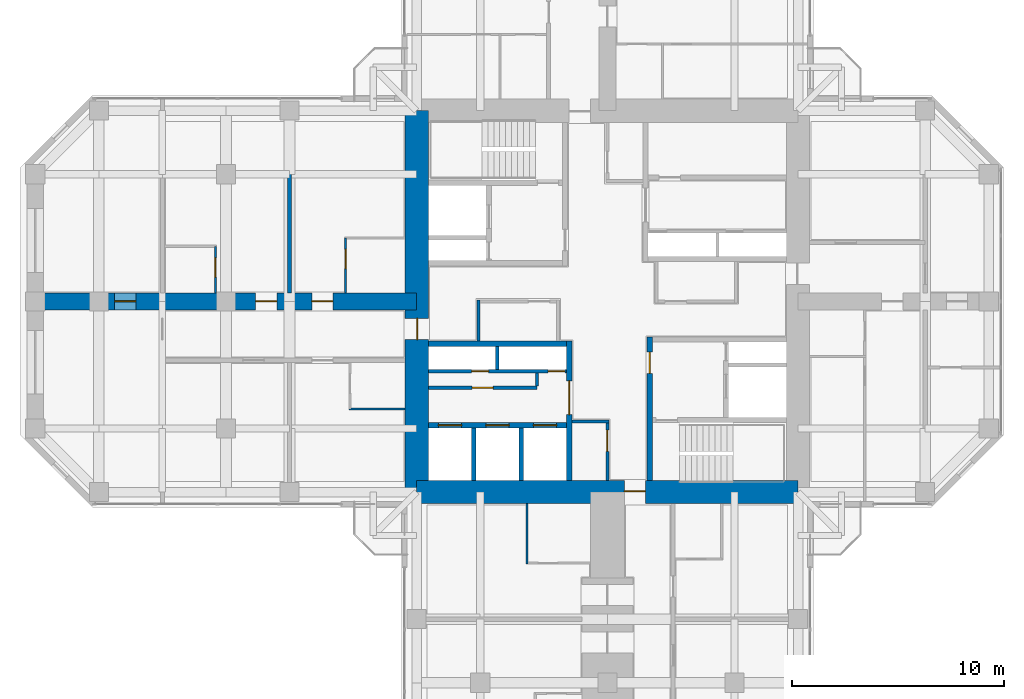
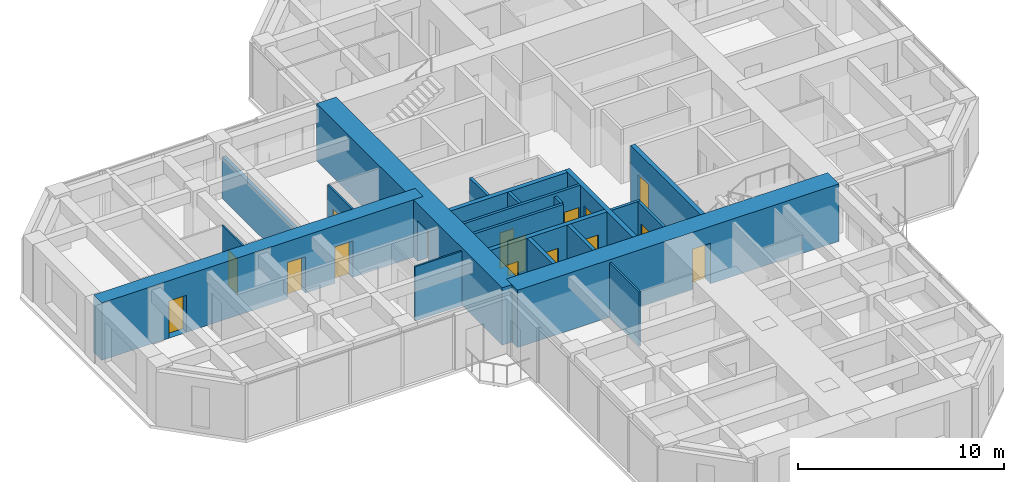
# One storey, part 9 of 14: 21 walls, 16 doors, 16 openings.
"""IFC4 building model written with IfcOpenShell, lengths in metres."""

from ifc_helpers import new_model, si_unit, direction, frame, frame_2d, origin, place, context, subcontext, project, spatial, rectangle, extrude, material, layer, layer_set, constituent, constituent_set, type_object, element, fill, save


model = new_model("IFC4")

# Units and contexts
model_context = context("Model", 3, precision=1e-05, world=origin(), true_north=direction((0.0, 1.0)))
body_context = subcontext(model_context, "Body", "Model", "MODEL_VIEW")
ifc_project = project(units=[si_unit("LENGTHUNIT", "METRE"), si_unit("AREAUNIT", "SQUARE_METRE"), si_unit("VOLUMEUNIT", "CUBIC_METRE"), si_unit("PLANEANGLEUNIT", "RADIAN"), si_unit("MASSUNIT", "GRAM", prefix="KILO")], contexts=[model_context])

# Site, building, storey
site_placement = place(None, origin())
site = spatial("IfcSite", under=ifc_project, at=site_placement, CompositionType="ELEMENT")
building_placement = place(site_placement, origin())
building = spatial("IfcBuilding", under=site, at=building_placement, Name="Torre Cruceta", CompositionType="ELEMENT")
storey_placement = place(building_placement, frame((0.0, 0.0, 206.89990234375)))
storey = spatial("IfcBuildingStorey", under=building, at=storey_placement, Name="L52", CompositionType="ELEMENT", Elevation=206.89990234375)

# Walls
ifc_material_1 = material(Name="Water-resistant plasterboard on steel studs", Category="steel")
ifc_layer_1 = layer(ifc_material_1, 0.10009765625)
ifc_layer_set_1 = layer_set([ifc_layer_1], Name="Water-resistant plasterboard on steel studs")
wall_type_1 = type_object("IfcWallType", Name="BATHROOM WALL 100", PredefinedType="PARTITIONING", material=ifc_layer_set_1)
wall_1_placement = place(storey_placement, frame((-3.800048828125, -9.550048828125, 0.0), z_axis=(0.0, 0.0, 1.0), x_axis=(0.0, -1.0, 0.0)))
element("IfcWall", 1, at=wall_1_placement, inside=storey, type_object=wall_type_1, Name="PT4 L52-S-U1RBB", PredefinedType="PARTITIONING", context=body_context, shape_type="SweptSolid", body=[
    extrude(rectangle(XDim=2.849853515625, YDim=0.10009765625, at=frame_2d((1.4248046875, 0.0))), origin(), (0.0, 0.0, 1.0), 3.22021484375),
])
wall_2_placement = place(storey_placement, frame((-9.550048828125, -5.074951171875, 0.0), z_axis=(0.0, 0.0, 1.0), x_axis=(-1.0, 0.0, 0.0)))
element("IfcWall", 2, at=wall_2_placement, inside=storey, type_object=wall_type_1, Name="PT4 L52-W-U1LBB", PredefinedType="PARTITIONING", context=body_context, shape_type="SweptSolid", body=[
    extrude(rectangle(XDim=2.64990234375, YDim=0.10009765625, at=frame_2d((1.324951171875, 0.0))), origin(), (0.0, 0.0, 1.0), 3.22021484375),
])

# Wall, opening, door
wall_3_placement = place(storey_placement, frame((-12.35009765625, 3.0, 0.0), z_axis=(0.0, 0.0, 1.0), x_axis=(0.0, -1.0, 0.0)))
wall_3 = element("IfcWall", 3, at=wall_3_placement, inside=storey, type_object=wall_type_1, Name="PT4 L52-W-U1RBS", PredefinedType="PARTITIONING", context=body_context, shape_type="SweptSolid", body=[
    extrude(rectangle(XDim=2.60009765625, YDim=0.10009765625, at=frame_2d((1.300048828125, 0.0))), origin(), (0.0, 0.0, 1.0), 3.22021484375),
])
opening_1_placement = place(wall_3_placement, frame((0.550048828125, 0.0, 0.0)))
opening_1 = element("IfcOpeningElement", 4, at=opening_1_placement, cuts=wall_3, Name="Opening D7", PredefinedType="OPENING", context=body_context, shape_type="SweptSolid", body=[
    extrude(rectangle(XDim=0.89990234375, YDim=2.10009765625, at=frame_2d((0.449951171875, 1.050048828125))), frame((0.0, 0.06005859375, 0.0), z_axis=(0.0, -1.0, 0.0), x_axis=(1.0, 0.0, 0.0)), (0.0, 0.0, 1.0), 0.1201171875),
])
ifc_material_2 = material(Name="Timber door", Category="wood")
door_type_1 = type_object("IfcDoorType", Name="BATHROOM DOOR 900X2100", OperationType="SINGLE_SWING_LEFT", PredefinedType="DOOR", material=ifc_material_2)
door_1_placement = place(opening_1_placement, origin())
door_1 = element("IfcDoor", 5, at=door_1_placement, inside=storey, type_object=door_type_1, Name="D7 L52-W-U1RBS-D1", OperationType="SINGLE_SWING_LEFT", OverallHeight=2.10009765625, OverallWidth=0.89990234375, PredefinedType="DOOR", context=body_context, shape_type="SweptSolid", body=[
    extrude(rectangle(XDim=0.89990234375, YDim=2.10009765625, at=frame_2d((0.449951171875, 1.050048828125))), frame((0.0, 0.02490234375, 0.0), z_axis=(0.0, -1.0, 0.0), x_axis=(1.0, 0.0, 0.0)), (0.0, 0.0, 1.0), 0.050048828125),
])
fill(opening_1, door_1)

wall_4_placement = place(storey_placement, frame((-18.5, 2.60009765625, 0.0), z_axis=(0.0, 0.0, 1.0), x_axis=(0.0, -1.0, 0.0)))
wall_4 = element("IfcWall", 6, at=wall_4_placement, inside=storey, type_object=wall_type_1, Name="PT4 L52-W-U2RBS", PredefinedType="PARTITIONING", context=body_context, shape_type="SweptSolid", body=[
    extrude(rectangle(XDim=2.2001953125, YDim=0.10009765625, at=frame_2d((1.10009765625, 0.0))), origin(), (0.0, 0.0, 1.0), 3.22021484375),
])
opening_2_placement = place(wall_4_placement, frame((0.550048828125, 0.0, 0.0)))
opening_2 = element("IfcOpeningElement", 7, at=opening_2_placement, cuts=wall_4, Name="Opening D7", PredefinedType="OPENING", context=body_context, shape_type="SweptSolid", body=[
    extrude(rectangle(XDim=0.89990234375, YDim=2.10009765625, at=frame_2d((0.449951171875, 1.050048828125))), frame((0.0, 0.06005859375, 0.0), z_axis=(0.0, -1.0, 0.0), x_axis=(1.0, 0.0, 0.0)), (0.0, 0.0, 1.0), 0.1201171875),
])
door_2_placement = place(opening_2_placement, frame((0.89990234375, 0.0, 0.0), z_axis=(0.0, 0.0, 1.0), x_axis=(-1.0, 0.0, 0.0)))
door_2 = element("IfcDoor", 8, at=door_2_placement, inside=storey, type_object=door_type_1, Name="D7 L52-W-U2RBS-D1", OperationType="SINGLE_SWING_RIGHT", OverallHeight=2.10009765625, OverallWidth=0.89990234375, PredefinedType="DOOR", context=body_context, shape_type="SweptSolid", body=[
    extrude(rectangle(XDim=0.89990234375, YDim=2.10009765625, at=frame_2d((0.449951171875, 1.050048828125))), frame((0.0, 0.025146484375, 0.0), z_axis=(0.0, -1.0, 0.0), x_axis=(1.0, 0.0, 0.0)), (0.0, 0.0, 1.0), 0.050048828125),
])
fill(opening_2, door_2)

ifc_material_3 = material(Name="Concrete G60 (fck 60 MPa)", Category="concrete")
ifc_layer_2 = layer(ifc_material_3, 0.25)
ifc_layer_set_2 = layer_set([ifc_layer_2], Name="Concrete G60 (fck 60 MPa)")
wall_type_2 = type_object("IfcWallType", Name="CORE INNER WALL 250 G60", PredefinedType="SHEAR", material=ifc_layer_set_2)
wall_5_placement = place(storey_placement, frame((-1.800048828125, -1.875, 0.0), z_axis=(0.0, 0.0, 1.0), x_axis=(0.0, -1.0, 0.0)))
wall_5 = element("IfcWall", 9, at=wall_5_placement, inside=storey, type_object=wall_type_2, Name="CW4 L52 SW-CU", PredefinedType="SHEAR", context=body_context, shape_type="SweptSolid", body=[
    extrude(rectangle(XDim=6.574951171875, YDim=0.25, at=frame_2d((3.28759765625, 0.0))), origin(), (0.0, 0.0, 1.0), 3.400146484375),
])
opening_3_placement = place(wall_5_placement, frame((1.875, 0.0, 0.0)))
opening_3 = element("IfcOpeningElement", 10, at=opening_3_placement, cuts=wall_5, Name="Opening D8", PredefinedType="OPENING", context=body_context, shape_type="SweptSolid", body=[
    extrude(rectangle(XDim=1.60009765625, YDim=2.39990234375, at=frame_2d((0.800048828125, 1.199951171875))), frame((0.0, 0.135009765625, 0.0), z_axis=(0.0, -1.0, 0.0), x_axis=(1.0, 0.0, 0.0)), (0.0, 0.0, 1.0), 0.27001953125),
])
ifc_material_4 = material(Name="Steel DX51D", Category="steel")
ifc_constituent_1 = constituent(ifc_material_4, Name="Leaf and frame")
ifc_material_5 = material(Name="Polyester powder coating", Category="paint")
ifc_constituent_2 = constituent(ifc_material_5, Name="Finish")
ifc_material_6 = material(Name="Fire-resisting glass", Category="glass")
ifc_constituent_3 = constituent(ifc_material_6, Name="Vision panel")
ifc_constituent_set_1 = constituent_set(constituents=[ifc_constituent_1, ifc_constituent_2, ifc_constituent_3], Name="Steel fire door with vision panels")
door_type_2 = type_object("IfcDoorType", Name="LIFT LOBBY DOUBLE DOOR 1600X2400", OperationType="DOUBLE_DOOR_DOUBLE_SWING", PredefinedType="DOOR", material=ifc_constituent_set_1)
door_3_placement = place(opening_3_placement, origin())
door_3 = element("IfcDoor", 11, at=door_3_placement, inside=storey, type_object=door_type_2, Name="D8 L52 SW-LOBBY", OperationType="DOUBLE_DOOR_DOUBLE_SWING", OverallHeight=2.39990234375, OverallWidth=1.60009765625, PredefinedType="DOOR", context=body_context, shape_type="SweptSolid", body=[
    extrude(rectangle(XDim=1.60009765625, YDim=2.39990234375, at=frame_2d((0.800048828125, 1.199951171875))), frame((0.0, 0.02490234375, 0.0), z_axis=(0.0, -1.0, 0.0), x_axis=(1.0, 0.0, 0.0)), (0.0, 0.0, 1.0), 0.050048828125),
])
fill(opening_3, door_3)

# Wall
wall_6_placement = place(storey_placement, frame((-1.925048828125, -2.0, 0.0), z_axis=(0.0, 0.0, 1.0), x_axis=(-1.0, 0.0, 0.0)))
element("IfcWall", 12, at=wall_6_placement, inside=storey, type_object=wall_type_2, Name="CW4 L52 SW-CV", PredefinedType="SHEAR", context=body_context, shape_type="SweptSolid", body=[
    extrude(rectangle(XDim=6.52490234375, YDim=0.25, at=frame_2d((3.262451171875, 0.0))), origin(), (0.0, 0.0, 1.0), 3.400146484375),
])

# Wall, openings, doors
wall_7_placement = place(storey_placement, frame((-1.925048828125, -5.85009765625, 0.0), z_axis=(0.0, 0.0, 1.0), x_axis=(-1.0, 0.0, 0.0)))
wall_7 = element("IfcWall", 13, at=wall_7_placement, inside=storey, type_object=wall_type_2, Name="CW4 L52 SW-LV", PredefinedType="SHEAR", context=body_context, shape_type="SweptSolid", body=[
    extrude(rectangle(XDim=6.52490234375, YDim=0.25, at=frame_2d((3.262451171875, 0.0))), origin(), (0.0, 0.0, 1.0), 3.400146484375),
])
opening_4_placement = place(wall_7_placement, frame((0.470947265625, 0.0, 0.0)))
opening_4 = element("IfcOpeningElement", 14, at=opening_4_placement, cuts=wall_7, Name="Opening LD1", PredefinedType="OPENING", context=body_context, shape_type="SweptSolid", body=[
    extrude(rectangle(XDim=1.10009765625, YDim=2.199951171875, at=frame_2d((0.550048828125, 1.10009765625))), frame((0.0, 0.135009765625, 0.0), z_axis=(0.0, -1.0, 0.0), x_axis=(1.0, 0.0, 0.0)), (0.0, 0.0, 1.0), 0.27001953125),
])
opening_5_placement = place(wall_7_placement, frame((2.71240234375, 0.0, 0.0)))
opening_5 = element("IfcOpeningElement", 15, at=opening_5_placement, cuts=wall_7, Name="Opening LD1", PredefinedType="OPENING", context=body_context, shape_type="SweptSolid", body=[
    extrude(rectangle(XDim=1.10009765625, YDim=2.199951171875, at=frame_2d((0.550048828125, 1.10009765625))), frame((0.0, 0.135009765625, 0.0), z_axis=(0.0, -1.0, 0.0), x_axis=(1.0, 0.0, 0.0)), (0.0, 0.0, 1.0), 0.27001953125),
])
opening_6_placement = place(wall_7_placement, frame((4.9541015625, 0.0, 0.0)))
opening_6 = element("IfcOpeningElement", 16, at=opening_6_placement, cuts=wall_7, Name="Opening LD1", PredefinedType="OPENING", context=body_context, shape_type="SweptSolid", body=[
    extrude(rectangle(XDim=1.10009765625, YDim=2.199951171875, at=frame_2d((0.550048828125, 1.10009765625))), frame((0.0, 0.135009765625, 0.0), z_axis=(0.0, -1.0, 0.0), x_axis=(1.0, 0.0, 0.0)), (0.0, 0.0, 1.0), 0.27001953125),
])
ifc_material_7 = material(Name="Stainless steel 1.4401", Category="steel")
door_type_3 = type_object("IfcDoorType", Name="LIFT LANDING DOOR 1100X2200", OperationType="DOUBLE_DOOR_SLIDING", PredefinedType="DOOR", material=ifc_material_7)
door_4_placement = place(opening_4_placement, origin())
door_4 = element("IfcDoor", 17, at=door_4_placement, inside=storey, type_object=door_type_3, Name="Lift landing door R1", OperationType="DOUBLE_DOOR_SLIDING", OverallHeight=2.199951171875, OverallWidth=1.10009765625, PredefinedType="DOOR", context=body_context, shape_type="SweptSolid", body=[
    extrude(rectangle(XDim=1.10009765625, YDim=2.199951171875, at=frame_2d((0.550048828125, 1.10009765625))), frame((0.0, 0.02490234375, 0.0), z_axis=(0.0, -1.0, 0.0), x_axis=(1.0, 0.0, 0.0)), (0.0, 0.0, 1.0), 0.050048828125),
])
fill(opening_4, door_4)
door_5_placement = place(opening_5_placement, origin())
door_5 = element("IfcDoor", 18, at=door_5_placement, inside=storey, type_object=door_type_3, Name="Lift landing door R2", OperationType="DOUBLE_DOOR_SLIDING", OverallHeight=2.199951171875, OverallWidth=1.10009765625, PredefinedType="DOOR", context=body_context, shape_type="SweptSolid", body=[
    extrude(rectangle(XDim=1.10009765625, YDim=2.199951171875, at=frame_2d((0.550048828125, 1.10009765625))), frame((0.0, 0.02490234375, 0.0), z_axis=(0.0, -1.0, 0.0), x_axis=(1.0, 0.0, 0.0)), (0.0, 0.0, 1.0), 0.050048828125),
])
fill(opening_5, door_5)
door_6_placement = place(opening_6_placement, origin())
door_6 = element("IfcDoor", 19, at=door_6_placement, inside=storey, type_object=door_type_3, Name="Lift landing door R3", OperationType="DOUBLE_DOOR_SLIDING", OverallHeight=2.199951171875, OverallWidth=1.10009765625, PredefinedType="DOOR", context=body_context, shape_type="SweptSolid", body=[
    extrude(rectangle(XDim=1.10009765625, YDim=2.199951171875, at=frame_2d((0.550048828125, 1.10009765625))), frame((0.0, 0.02490234375, 0.0), z_axis=(0.0, -1.0, 0.0), x_axis=(1.0, 0.0, 0.0)), (0.0, 0.0, 1.0), 0.050048828125),
])
fill(opening_6, door_6)

# Wall, opening, door
wall_8_placement = place(storey_placement, frame((2.0, -1.675048828125, 0.0), z_axis=(0.0, 0.0, 1.0), x_axis=(0.0, -1.0, 0.0)))
wall_8 = element("IfcWall", 20, at=wall_8_placement, inside=storey, type_object=wall_type_2, Name="CW4 L52 SE-CU", PredefinedType="SHEAR", context=body_context, shape_type="SweptSolid", body=[
    extrude(rectangle(XDim=6.77490234375, YDim=0.25, at=frame_2d((3.387451171875, 0.0))), origin(), (0.0, 0.0, 1.0), 3.400146484375),
])
opening_7_placement = place(wall_8_placement, frame((0.72509765625, 0.0, 0.0)))
opening_7 = element("IfcOpeningElement", 21, at=opening_7_placement, cuts=wall_8, Name="Opening D3", PredefinedType="OPENING", context=body_context, shape_type="SweptSolid", body=[
    extrude(rectangle(XDim=1.0, YDim=2.10009765625, at=frame_2d((0.5, 1.050048828125))), frame((0.0, 0.135009765625, 0.0), z_axis=(0.0, -1.0, 0.0), x_axis=(1.0, 0.0, 0.0)), (0.0, 0.0, 1.0), 0.27001953125),
])
ifc_material_8 = material(Name="Steel DX51D", Category="steel")
ifc_constituent_4 = constituent(ifc_material_8, Name="Leaf and frame")
ifc_material_9 = material(Name="Polyester powder coating", Category="paint")
ifc_constituent_5 = constituent(ifc_material_9, Name="Finish")
ifc_constituent_set_2 = constituent_set(constituents=[ifc_constituent_4, ifc_constituent_5], Name="Steel fire door")
door_type_4 = type_object("IfcDoorType", Name="FIRE DOOR 1000X2100", OperationType="SINGLE_SWING_LEFT", PredefinedType="DOOR", material=ifc_constituent_set_2)
door_7_placement = place(opening_7_placement, origin())
door_7 = element("IfcDoor", 22, at=door_7_placement, inside=storey, type_object=door_type_4, Name="D3 L52 SE-LOBBY", OperationType="SINGLE_SWING_LEFT", OverallHeight=2.10009765625, OverallWidth=1.0, PredefinedType="DOOR", context=body_context, shape_type="SweptSolid", body=[
    extrude(rectangle(XDim=1.0, YDim=2.10009765625, at=frame_2d((0.5, 1.050048828125))), frame((0.0, 0.02490234375, 0.0), z_axis=(0.0, -1.0, 0.0), x_axis=(1.0, 0.0, 0.0)), (0.0, 0.0, 1.0), 0.050048828125),
])
fill(opening_7, door_7)

ifc_material_10 = material(Name="Concrete G60 (fck 60 MPa)", Category="concrete")
ifc_layer_3 = layer(ifc_material_10, 1.10009765625)
ifc_layer_set_3 = layer_set([ifc_layer_3], Name="Concrete G60 (fck 60 MPa)")
wall_type_3 = type_object("IfcWallType", Name="CORE WALL 1100 G60", PredefinedType="SHEAR", material=ifc_layer_set_3)
wall_9_placement = place(storey_placement, frame((-9.0, -9.0, 0.0), z_axis=(0.0, 0.0, 1.0), x_axis=(1.0, 0.0, 0.0)))
wall_9 = element("IfcWall", 23, at=wall_9_placement, inside=storey, type_object=wall_type_3, Name="CW2 L52 CW-S", PredefinedType="SHEAR", context=body_context, shape_type="SweptSolid", body=[
    extrude(rectangle(XDim=18.0, YDim=1.10009765625, at=frame_2d((9.0, 0.0))), origin(), (0.0, 0.0, 1.0), 3.400146484375),
])
opening_8_placement = place(wall_9_placement, frame((9.800048828125, 0.0, 0.0)))
opening_8 = element("IfcOpeningElement", 24, at=opening_8_placement, cuts=wall_9, Name="Opening D4", PredefinedType="OPENING", context=body_context, shape_type="SweptSolid", body=[
    extrude(rectangle(XDim=1.0, YDim=2.39990234375, at=frame_2d((0.5, 1.199951171875))), frame((0.0, 0.56005859375, 0.0), z_axis=(0.0, -1.0, 0.0), x_axis=(1.0, 0.0, 0.0)), (0.0, 0.0, 1.0), 1.1201171875),
])
ifc_material_11 = material(Name="Steel DX51D", Category="steel")
ifc_constituent_6 = constituent(ifc_material_11, Name="Leaf and frame")
ifc_material_12 = material(Name="Polyester powder coating", Category="paint")
ifc_constituent_7 = constituent(ifc_material_12, Name="Finish")
ifc_constituent_set_3 = constituent_set(constituents=[ifc_constituent_6, ifc_constituent_7], Name="Steel fire door")
door_type_5 = type_object("IfcDoorType", Name="CORE ARM DOOR 1000X2400", OperationType="SINGLE_SWING_RIGHT", PredefinedType="DOOR", material=ifc_constituent_set_3)
door_8_placement = place(opening_8_placement, origin())
door_8 = element("IfcDoor", 25, at=door_8_placement, inside=storey, type_object=door_type_5, Name="D4 L52 CW-S", OperationType="SINGLE_SWING_RIGHT", OverallHeight=2.39990234375, OverallWidth=1.0, PredefinedType="DOOR", context=body_context, shape_type="SweptSolid", body=[
    extrude(rectangle(XDim=1.0, YDim=2.39990234375, at=frame_2d((0.5, 1.199951171875))), frame((0.0, 0.05517578125, 0.0), z_axis=(0.0, -1.0, 0.0), x_axis=(1.0, 0.0, 0.0)), (0.0, 0.0, 1.0), 0.050048828125),
])
fill(opening_8, door_8)

wall_10_placement = place(storey_placement, frame((-9.0, 9.0, 0.0), z_axis=(0.0, 0.0, 1.0), x_axis=(0.0, -1.0, 0.0)))
wall_10 = element("IfcWall", 26, at=wall_10_placement, inside=storey, type_object=wall_type_3, Name="CW2 L52 CW-W", PredefinedType="SHEAR", context=body_context, shape_type="SweptSolid", body=[
    extrude(rectangle(XDim=18.0, YDim=1.10009765625, at=frame_2d((9.0, 0.0))), origin(), (0.0, 0.0, 1.0), 3.400146484375),
])
opening_9_placement = place(wall_10_placement, frame((9.800048828125, 0.0, 0.0)))
opening_9 = element("IfcOpeningElement", 27, at=opening_9_placement, cuts=wall_10, Name="Opening D4", PredefinedType="OPENING", context=body_context, shape_type="SweptSolid", body=[
    extrude(rectangle(XDim=1.0, YDim=2.39990234375, at=frame_2d((0.5, 1.199951171875))), frame((0.0, 0.56005859375, 0.0), z_axis=(0.0, -1.0, 0.0), x_axis=(1.0, 0.0, 0.0)), (0.0, 0.0, 1.0), 1.1201171875),
])
door_9_placement = place(opening_9_placement, origin())
door_9 = element("IfcDoor", 28, at=door_9_placement, inside=storey, type_object=door_type_5, Name="D4 L52 CW-W", OperationType="SINGLE_SWING_RIGHT", OverallHeight=2.39990234375, OverallWidth=1.0, PredefinedType="DOOR", context=body_context, shape_type="SweptSolid", body=[
    extrude(rectangle(XDim=1.0, YDim=2.39990234375, at=frame_2d((0.5, 1.199951171875))), frame((0.0, 0.05517578125, 0.0), z_axis=(0.0, -1.0, 0.0), x_axis=(1.0, 0.0, 0.0)), (0.0, 0.0, 1.0), 0.050048828125),
])
fill(opening_9, door_9)

# Walls
ifc_material_13 = material(Name="Concrete G35 (fck 35 MPa)", Category="concrete")
ifc_layer_4 = layer(ifc_material_13, 0.199951171875)
ifc_layer_set_4 = layer_set([ifc_layer_4], Name="Concrete G35 (fck 35 MPa)")
wall_type_4 = type_object("IfcWallType", Name="LIFT SHAFT WALL 200", PredefinedType="PARTITIONING", material=ifc_layer_set_4)
for number, where, z_axis, x_axis, name in (
    (29, (-4.066650390625, -5.97509765625, 0.0), (0.0, 0.0, 1.0), (0.0, -1.0, 0.0), "SW1 L52 SW-LS1"),
    (30, (-6.308349609375, -5.97509765625, 0.0), (0.0, 0.0, 1.0), (0.0, -1.0, 0.0), "SW1 L52 SW-LS2"),
):
    element("IfcWall", number, at=place(storey_placement, frame(where, z_axis=z_axis, x_axis=x_axis)), inside=storey, type_object=wall_type_4, Name=name, PredefinedType="PARTITIONING", context=body_context, shape_type="SweptSolid", body=[
        extrude(rectangle(XDim=2.474853515625, YDim=0.199951171875, at=frame_2d((1.2373046875, 0.0))), origin(), (0.0, 0.0, 1.0), 3.400146484375),
    ])
ifc_material_14 = material(Name="Plasterboard on steel studs", Category="steel")
ifc_layer_5 = layer(ifc_material_14, 0.14990234375)
ifc_layer_set_5 = layer_set([ifc_layer_5], Name="Plasterboard on steel studs")
wall_type_5 = type_object("IfcWallType", Name="PARTITION 150", PredefinedType="PARTITIONING", material=ifc_layer_set_5)
wall_11_placement = place(storey_placement, frame((-6.074951171875, 0.074951171875, 0.0), z_axis=(0.0, 0.0, 1.0), x_axis=(0.0, -1.0, 0.0)))
element("IfcWall", 31, at=wall_11_placement, inside=storey, type_object=wall_type_5, Name="PT1 L52-CORE-LEGW-S-W3", PredefinedType="PARTITIONING", context=body_context, shape_type="SweptSolid", body=[
    extrude(rectangle(XDim=1.949951171875, YDim=0.14990234375, at=frame_2d((0.97509765625, 0.0))), origin(), (0.0, 0.0, 1.0), 3.22021484375),
])

# Wall, opening, door
wall_12_placement = place(storey_placement, frame((0.0, -5.675048828125, 0.0), z_axis=(0.0, 0.0, 1.0), x_axis=(0.0, -1.0, 0.0)))
wall_12 = element("IfcWall", 32, at=wall_12_placement, inside=storey, type_object=wall_type_5, Name="PT1 L52-CORE-LEGS-W-W1", PredefinedType="PARTITIONING", context=body_context, shape_type="SweptSolid", body=[
    extrude(rectangle(XDim=2.77490234375, YDim=0.14990234375, at=frame_2d((1.387451171875, 0.0))), origin(), (0.0, 0.0, 1.0), 3.22021484375),
])
opening_10_placement = place(wall_12_placement, frame((0.39990234375, 0.0, 0.0)))
opening_10 = element("IfcOpeningElement", 33, at=opening_10_placement, cuts=wall_12, Name="Opening D3", PredefinedType="OPENING", context=body_context, shape_type="SweptSolid", body=[
    extrude(rectangle(XDim=1.0, YDim=2.10009765625, at=frame_2d((0.5, 1.050048828125))), frame((0.0, 0.0849609375, 0.0), z_axis=(0.0, -1.0, 0.0), x_axis=(1.0, 0.0, 0.0)), (0.0, 0.0, 1.0), 0.169921875),
])
door_10_placement = place(opening_10_placement, frame((1.0, 0.0, 0.0), z_axis=(0.0, 0.0, 1.0), x_axis=(-1.0, 0.0, 0.0)))
door_10 = element("IfcDoor", 34, at=door_10_placement, inside=storey, type_object=door_type_4, Name="D3 L52-CORE-LEGS-W-W1-D1", OperationType="SINGLE_SWING_RIGHT", OverallHeight=2.10009765625, OverallWidth=1.0, PredefinedType="DOOR", context=body_context, shape_type="SweptSolid", body=[
    extrude(rectangle(XDim=1.0, YDim=2.10009765625, at=frame_2d((0.5, 1.050048828125))), frame((0.0, 0.025146484375, 0.0), z_axis=(0.0, -1.0, 0.0), x_axis=(1.0, 0.0, 0.0)), (0.0, 0.0, 1.0), 0.050048828125),
])
fill(opening_10, door_10)

# Wall
wall_13_placement = place(storey_placement, frame((-1.675048828125, -5.675048828125, 0.0), z_axis=(0.0, 0.0, 1.0), x_axis=(1.0, 0.0, 0.0)))
element("IfcWall", 35, at=wall_13_placement, inside=storey, type_object=wall_type_5, Name="PT1 L52-CORE-LEGS-W-W2", PredefinedType="PARTITIONING", context=body_context, shape_type="SweptSolid", body=[
    extrude(rectangle(XDim=1.75, YDim=0.14990234375, at=frame_2d((0.875, 0.0))), origin(), (0.0, 0.0, 1.0), 3.22021484375),
])

# Wall, opening, door
wall_14_placement = place(storey_placement, frame((-3.324951171875, -4.074951171875, 0.0), z_axis=(0.0, 0.0, 1.0), x_axis=(-1.0, 0.0, 0.0)))
wall_14 = element("IfcWall", 36, at=wall_14_placement, inside=storey, type_object=wall_type_5, Name="PT1 L52-CORE-SW-CUPBOARD", PredefinedType="PARTITIONING", context=body_context, shape_type="SweptSolid", body=[
    extrude(rectangle(XDim=5.125, YDim=0.14990234375, at=frame_2d((2.5625, 0.0))), origin(), (0.0, 0.0, 1.0), 3.22021484375),
])
opening_11_placement = place(wall_14_placement, frame((2.0625, 0.0, 0.0)))
opening_11 = element("IfcOpeningElement", 37, at=opening_11_placement, cuts=wall_14, Name="Opening D19", PredefinedType="OPENING", context=body_context, shape_type="SweptSolid", body=[
    extrude(rectangle(XDim=1.0, YDim=2.10009765625, at=frame_2d((0.5, 1.050048828125))), frame((0.0, 0.0849609375, 0.0), z_axis=(0.0, -1.0, 0.0), x_axis=(1.0, 0.0, 0.0)), (0.0, 0.0, 1.0), 0.169921875),
])
ifc_material_15 = material(Name="Timber fire door", Category="wood")
door_type_6 = type_object("IfcDoorType", Name="CUPBOARD PAIR OF DOORS 1000X2100", OperationType="DOUBLE_DOOR_SINGLE_SWING", PredefinedType="DOOR", material=ifc_material_15)
door_11_placement = place(opening_11_placement, frame((1.0, 0.0, 0.0), z_axis=(0.0, 0.0, 1.0), x_axis=(-1.0, 0.0, 0.0)))
door_11 = element("IfcDoor", 38, at=door_11_placement, inside=storey, type_object=door_type_6, Name="D19 L52-CORE-SW-CUPBOARD-D1", OperationType="DOUBLE_DOOR_SINGLE_SWING", OverallHeight=2.10009765625, OverallWidth=1.0, PredefinedType="DOOR", context=body_context, shape_type="SweptSolid", body=[
    extrude(rectangle(XDim=1.0, YDim=2.10009765625, at=frame_2d((0.5, 1.050048828125))), frame((0.0, 0.025146484375, 0.0), z_axis=(0.0, -1.0, 0.0), x_axis=(1.0, 0.0, 0.0)), (0.0, 0.0, 1.0), 0.050048828125),
])
fill(opening_11, door_11)

# Wall
wall_15_placement = place(storey_placement, frame((-3.324951171875, -3.375, 0.0), z_axis=(0.0, 0.0, 1.0), x_axis=(0.0, -1.0, 0.0)))
element("IfcWall", 39, at=wall_15_placement, inside=storey, type_object=wall_type_5, Name="PT1 L52-CORE-SW-CUPBOARDE", PredefinedType="PARTITIONING", context=body_context, shape_type="SweptSolid", body=[
    extrude(rectangle(XDim=0.625, YDim=0.14990234375, at=frame_2d((0.3125, 0.0))), origin(), (0.0, 0.0, 1.0), 3.22021484375),
])

# Wall, openings, doors
ifc_material_16 = material(Name="Concrete block masonry", Category="masonry")
ifc_layer_6 = layer(ifc_material_16, 0.14990234375)
ifc_layer_set_6 = layer_set([ifc_layer_6], Name="Concrete block masonry")
wall_type_6 = type_object("IfcWallType", Name="RISER WALL 150", PredefinedType="PARTITIONING", material=ifc_layer_set_6)
wall_16_placement = place(storey_placement, frame((-1.925048828125, -3.300048828125, 0.0), z_axis=(0.0, 0.0, 1.0), x_axis=(-1.0, 0.0, 0.0)))
wall_16 = element("IfcWall", 40, at=wall_16_placement, inside=storey, type_object=wall_type_6, Name="SW7 L52 SW-RV", PredefinedType="PARTITIONING", context=body_context, shape_type="SweptSolid", body=[
    extrude(rectangle(XDim=6.52490234375, YDim=0.14990234375, at=frame_2d((3.262451171875, 0.0))), origin(), (0.0, 0.0, 1.0), 3.400146484375),
])
opening_12_placement = place(wall_16_placement, frame((0.074951171875, 0.0, 0.0)))
opening_12 = element("IfcOpeningElement", 41, at=opening_12_placement, cuts=wall_16, Name="Opening D5", PredefinedType="OPENING", context=body_context, shape_type="SweptSolid", body=[
    extrude(rectangle(XDim=0.800048828125, YDim=2.10009765625, at=frame_2d((0.39990234375, 1.050048828125))), frame((0.0, 0.0849609375, 0.0), z_axis=(0.0, -1.0, 0.0), x_axis=(1.0, 0.0, 0.0)), (0.0, 0.0, 1.0), 0.169921875),
])
opening_13_placement = place(wall_16_placement, frame((3.675048828125, 0.0, 0.0)))
opening_13 = element("IfcOpeningElement", 42, at=opening_13_placement, cuts=wall_16, Name="Opening D5", PredefinedType="OPENING", context=body_context, shape_type="SweptSolid", body=[
    extrude(rectangle(XDim=0.800048828125, YDim=2.10009765625, at=frame_2d((0.39990234375, 1.050048828125))), frame((0.0, 0.0849609375, 0.0), z_axis=(0.0, -1.0, 0.0), x_axis=(1.0, 0.0, 0.0)), (0.0, 0.0, 1.0), 0.169921875),
])
ifc_material_17 = material(Name="Steel DX51D", Category="steel")
ifc_constituent_8 = constituent(ifc_material_17, Name="Leaf and frame")
ifc_material_18 = material(Name="Polyester powder coating", Category="paint")
ifc_constituent_9 = constituent(ifc_material_18, Name="Finish")
ifc_constituent_set_4 = constituent_set(constituents=[ifc_constituent_8, ifc_constituent_9], Name="Steel fire door")
door_type_7 = type_object("IfcDoorType", Name="RISER ACCESS DOOR 800X2100", OperationType="SINGLE_SWING_LEFT", PredefinedType="DOOR", material=ifc_constituent_set_4)
door_12_placement = place(opening_12_placement, frame((0.800048828125, 0.0, 0.0), z_axis=(0.0, 0.0, 1.0), x_axis=(-1.0, 0.0, 0.0)))
door_12 = element("IfcDoor", 43, at=door_12_placement, inside=storey, type_object=door_type_7, Name="D5 L52 SW-RISER1", OperationType="SINGLE_SWING_RIGHT", OverallHeight=2.10009765625, OverallWidth=0.800048828125, PredefinedType="DOOR", context=body_context, shape_type="SweptSolid", body=[
    extrude(rectangle(XDim=0.800048828125, YDim=2.10009765625, at=frame_2d((0.400146484375, 1.050048828125))), frame((0.0, 0.025146484375, 0.0), z_axis=(0.0, -1.0, 0.0), x_axis=(1.0, 0.0, 0.0)), (0.0, 0.0, 1.0), 0.050048828125),
])
fill(opening_12, door_12)
door_13_placement = place(opening_13_placement, frame((0.800048828125, 0.0, 0.0), z_axis=(0.0, 0.0, 1.0), x_axis=(-1.0, 0.0, 0.0)))
door_13 = element("IfcDoor", 44, at=door_13_placement, inside=storey, type_object=door_type_7, Name="D5 L52 SW-RISER2", OperationType="SINGLE_SWING_RIGHT", OverallHeight=2.10009765625, OverallWidth=0.800048828125, PredefinedType="DOOR", context=body_context, shape_type="SweptSolid", body=[
    extrude(rectangle(XDim=0.800048828125, YDim=2.10009765625, at=frame_2d((0.400146484375, 1.050048828125))), frame((0.0, 0.025146484375, 0.0), z_axis=(0.0, -1.0, 0.0), x_axis=(1.0, 0.0, 0.0)), (0.0, 0.0, 1.0), 0.050048828125),
])
fill(opening_13, door_13)

# Wall
wall_17_placement = place(storey_placement, frame((-5.199951171875, -2.125, 0.0), z_axis=(0.0, 0.0, 1.0), x_axis=(0.0, -1.0, 0.0)))
element("IfcWall", 45, at=wall_17_placement, inside=storey, type_object=wall_type_6, Name="SW7 L52 SW-RU", PredefinedType="PARTITIONING", context=body_context, shape_type="SweptSolid", body=[
    extrude(rectangle(XDim=1.10009765625, YDim=0.14990234375, at=frame_2d((0.550048828125, 0.0))), origin(), (0.0, 0.0, 1.0), 3.400146484375),
])

# Wall, openings, doors
ifc_material_19 = material(Name="Concrete G60 (fck 60 MPa)", Category="concrete")
ifc_layer_7 = layer(ifc_material_19, 0.800048828125)
ifc_layer_set_7 = layer_set([ifc_layer_7], Name="Concrete G60 (fck 60 MPa)")
wall_type_7 = type_object("IfcWallType", Name="SPINE WALL 800 G60", PredefinedType="SHEAR", material=ifc_layer_set_7)
wall_18_placement = place(storey_placement, frame((-9.0, 0.0, 0.0), z_axis=(0.0, 0.0, 1.0), x_axis=(-1.0, 0.0, 0.0)))
wall_18 = element("IfcWall", 46, at=wall_18_placement, inside=storey, type_object=wall_type_7, Name="SW4 spine wall L52 W", PredefinedType="SHEAR", context=body_context, shape_type="SweptSolid", body=[
    extrude(rectangle(XDim=18.0, YDim=0.800048828125, at=frame_2d((9.0, 0.0))), origin(), (0.0, 0.0, 1.0), 3.400146484375),
])
opening_14_placement = place(wall_18_placement, frame((3.949951171875, 0.0, 0.0)))
opening_14 = element("IfcOpeningElement", 47, at=opening_14_placement, cuts=wall_18, Name="Opening D6", PredefinedType="OPENING", context=body_context, shape_type="SweptSolid", body=[
    extrude(rectangle(XDim=1.0, YDim=2.14990234375, at=frame_2d((0.5, 1.074951171875))), frame((0.0, 0.409912109375, 0.0), z_axis=(0.0, -1.0, 0.0), x_axis=(1.0, 0.0, 0.0)), (0.0, 0.0, 1.0), 0.820068359375),
])
opening_15_placement = place(wall_18_placement, frame((6.60009765625, 0.0, 0.0)))
opening_15 = element("IfcOpeningElement", 48, at=opening_15_placement, cuts=wall_18, Name="Opening D6", PredefinedType="OPENING", context=body_context, shape_type="SweptSolid", body=[
    extrude(rectangle(XDim=1.0, YDim=2.14990234375, at=frame_2d((0.5, 1.074951171875))), frame((0.0, 0.409912109375, 0.0), z_axis=(0.0, -1.0, 0.0), x_axis=(1.0, 0.0, 0.0)), (0.0, 0.0, 1.0), 0.820068359375),
])
opening_16_placement = place(wall_18_placement, frame((13.25, 0.0, 0.0)))
opening_16 = element("IfcOpeningElement", 49, at=opening_16_placement, cuts=wall_18, Name="Opening D14", PredefinedType="OPENING", context=body_context, shape_type="SweptSolid", body=[
    extrude(rectangle(XDim=1.0, YDim=2.199951171875, at=frame_2d((0.5, 1.10009765625))), frame((0.0, 0.409912109375, 0.0), z_axis=(0.0, -1.0, 0.0), x_axis=(1.0, 0.0, 0.0)), (0.0, 0.0, 1.0), 0.820068359375),
])
ifc_material_20 = material(Name="Steel DX51D", Category="steel")
ifc_constituent_10 = constituent(ifc_material_20, Name="Leaf and frame")
ifc_material_21 = material(Name="Polyester powder coating", Category="paint")
ifc_constituent_11 = constituent(ifc_material_21, Name="Finish")
ifc_material_22 = material(Name="Fire-resisting glass", Category="glass")
ifc_constituent_12 = constituent(ifc_material_22, Name="Vision panel")
ifc_constituent_set_5 = constituent_set(constituents=[ifc_constituent_10, ifc_constituent_11, ifc_constituent_12], Name="Steel fire door with vision panel")
door_type_8 = type_object("IfcDoorType", Name="FIRE DOOR VISION PANEL 1000X2200", OperationType="SINGLE_SWING_RIGHT", PredefinedType="DOOR", material=ifc_constituent_set_5)
door_14_placement = place(opening_16_placement, origin())
door_14 = element("IfcDoor", 50, at=door_14_placement, inside=storey, type_object=door_type_8, Name="D14 L52-W-SP3", OperationType="SINGLE_SWING_LEFT", OverallHeight=2.199951171875, OverallWidth=1.0, PredefinedType="DOOR", context=body_context, shape_type="SweptSolid", body=[
    extrude(rectangle(XDim=1.0, YDim=2.199951171875, at=frame_2d((0.5, 1.10009765625))), frame((0.0, 0.02490234375, 0.0), z_axis=(0.0, -1.0, 0.0), x_axis=(1.0, 0.0, 0.0)), (0.0, 0.0, 1.0), 0.050048828125),
])
fill(opening_16, door_14)
ifc_material_23 = material(Name="Timber fire door", Category="wood")
door_type_9 = type_object("IfcDoorType", Name="UNIT ENTRANCE DOOR 1000X2150", OperationType="SINGLE_SWING_LEFT", PredefinedType="DOOR", material=ifc_material_23)
door_15_placement = place(opening_14_placement, frame((1.0, 0.0, 0.0), z_axis=(0.0, 0.0, 1.0), x_axis=(-1.0, 0.0, 0.0)))
door_15 = element("IfcDoor", 51, at=door_15_placement, inside=storey, type_object=door_type_9, Name="D6 L52-W-SP1", OperationType="SINGLE_SWING_RIGHT", OverallHeight=2.14990234375, OverallWidth=1.0, PredefinedType="DOOR", context=body_context, shape_type="SweptSolid", body=[
    extrude(rectangle(XDim=1.0, YDim=2.14990234375, at=frame_2d((0.5, 1.074951171875))), frame((0.0, 0.025146484375, 0.0), z_axis=(0.0, -1.0, 0.0), x_axis=(1.0, 0.0, 0.0)), (0.0, 0.0, 1.0), 0.050048828125),
])
fill(opening_14, door_15)
door_16_placement = place(opening_15_placement, frame((1.0, 0.0, 0.0), z_axis=(0.0, 0.0, 1.0), x_axis=(-1.0, 0.0, 0.0)))
door_16 = element("IfcDoor", 52, at=door_16_placement, inside=storey, type_object=door_type_9, Name="D6 L52-W-SP2", OperationType="SINGLE_SWING_RIGHT", OverallHeight=2.14990234375, OverallWidth=1.0, PredefinedType="DOOR", context=body_context, shape_type="SweptSolid", body=[
    extrude(rectangle(XDim=1.0, YDim=2.14990234375, at=frame_2d((0.5, 1.074951171875))), frame((0.0, 0.025146484375, 0.0), z_axis=(0.0, -1.0, 0.0), x_axis=(1.0, 0.0, 0.0)), (0.0, 0.0, 1.0), 0.050048828125),
])
fill(opening_15, door_16)

# Wall
ifc_material_24 = material(Name="Concrete G25 (fck 25 MPa)", Category="concrete")
ifc_layer_8 = layer(ifc_material_24, 0.199951171875)
ifc_layer_set_8 = layer_set([ifc_layer_8], Name="Concrete G25 (fck 25 MPa)")
wall_type_8 = type_object("IfcWallType", Name="UNIT SEPARATING WALL 200", PredefinedType="SOLIDWALL", material=ifc_layer_set_8)
wall_19_placement = place(storey_placement, frame((-15.0, 8.550048828125, 0.0), z_axis=(0.0, 0.0, 1.0), x_axis=(0.0, -1.0, 0.0)))
element("IfcWall", 53, at=wall_19_placement, inside=storey, type_object=wall_type_8, Name="PT2 L52-W-P1R", PredefinedType="SOLIDWALL", context=body_context, shape_type="SweptSolid", body=[
    extrude(rectangle(XDim=8.150146484375, YDim=0.199951171875, at=frame_2d((4.0751953125, 0.0))), origin(), (0.0, 0.0, 1.0), 2.47021484375),
])

save(model, "model.ifc")
